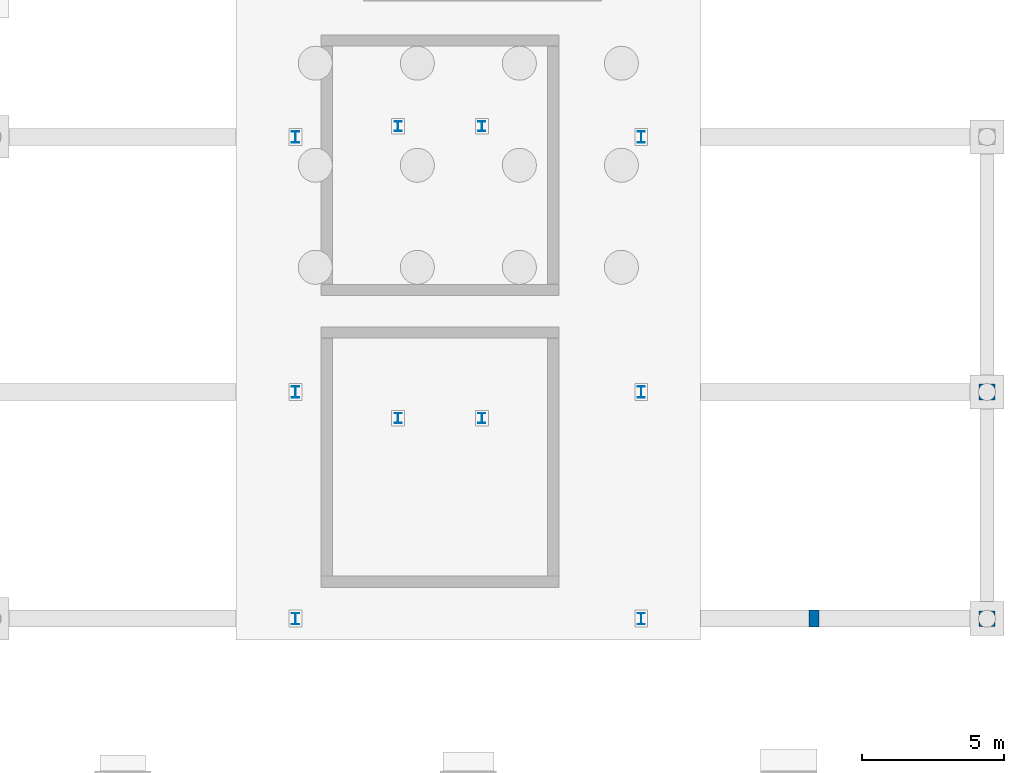
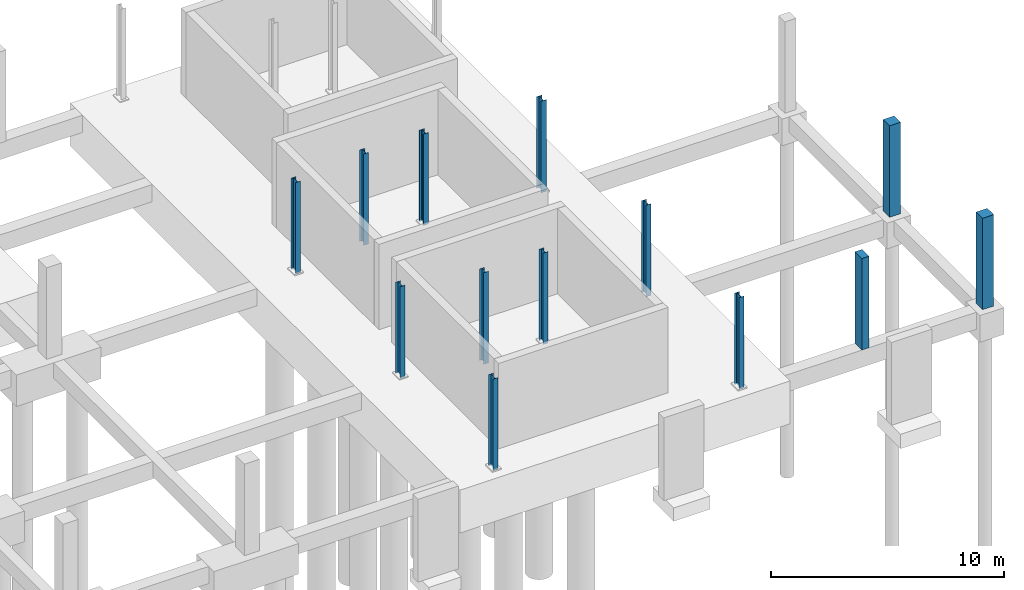
# One storey, part 20 of 32: 13 columns.
"""IFC4 building model written with IfcOpenShell, lengths in metres."""

from ifc_helpers import new_model, si_unit, derived_unit, direction, frame, origin, origin_2d, place, context, subcontext, project, spatial, rectangle, i_section, extrude, material, material_profile, profile_set, type_object, element, save


model = new_model("IFC4")

# Units and contexts
model_context = context("Model", 3, precision=1e-05, world=origin(), true_north=direction((0.0, 1.0)))
body_context = subcontext(model_context, "Body", "Model", "MODEL_VIEW")
ifc_project = project(units=[si_unit("LENGTHUNIT", "METRE"), si_unit("AREAUNIT", "SQUARE_METRE"), si_unit("VOLUMEUNIT", "CUBIC_METRE"), si_unit("PLANEANGLEUNIT", "RADIAN"), si_unit("MASSUNIT", "GRAM", prefix="KILO"), derived_unit("THERMALTRANSMITTANCEUNIT", [(si_unit("POWERUNIT", "WATT"), 1), (si_unit("LENGTHUNIT", "METRE"), -2), (si_unit("THERMODYNAMICTEMPERATUREUNIT", "KELVIN"), -1)])], contexts=[model_context])

# Site, building, storey
site_placement = place(None, origin())
site = spatial("IfcSite", under=ifc_project, at=site_placement, CompositionType="ELEMENT")
building_placement = place(site_placement, origin())
building = spatial("IfcBuilding", under=site, at=building_placement, Name="Nallur Shell Playhouse", CompositionType="ELEMENT")
storey_placement = place(building_placement, frame((0.0, 0.0, -4.800048828125)))
storey = spatial("IfcBuildingStorey", under=building, at=storey_placement, Name="B1", CompositionType="ELEMENT", Elevation=-4.800048828125)

# Columns
ifc_material_1 = material(Name="Concrete M35", Category="concrete")
ifc_material_profile_1 = material_profile(ifc_material_1, rectangle(XDim=0.35009765625, YDim=0.60009765625, at=origin_2d()), Name="RC 350x600")
ifc_profile_set_1 = profile_set([ifc_material_profile_1], Name="Concrete M35")
column_type_1 = type_object("IfcColumnType", Name="CL-PIL-350x600", PredefinedType="PILASTER", material=ifc_profile_set_1)
column_placement = place(storey_placement, frame((165.89990234375, 24.0, 0.0), z_axis=(0.0, 0.0, 1.0), x_axis=(1.0, 0.0, 0.0)))
element("IfcColumn", 1, at=column_placement, inside=storey, type_object=column_type_1, Name="Wall pilaster PIL-06 (B1)", PredefinedType="PILASTER", context=body_context, shape_type="SweptSolid", body=[
    extrude(rectangle(XDim=0.35009765625, YDim=0.60009765625, at=origin_2d()), origin(), (0.0, 0.0, 1.0), 4.800048828125),
])
ifc_material_profile_2 = material_profile(ifc_material_1, rectangle(XDim=0.550048828125, YDim=0.550048828125, at=origin_2d()), Name="RC 550x550")
ifc_profile_set_2 = profile_set([ifc_material_profile_2], Name="Concrete M35")
column_type_2 = type_object("IfcColumnType", Name="CL-RC-550", PredefinedType="COLUMN", material=ifc_profile_set_2)
for number, where, z_axis, x_axis, name in (
    (2, (172.0, 24.0, 0.0), (0.0, 0.0, 1.0), (1.0, 0.0, 0.0), "Column 20-C (B1)"),
    (3, (172.0, 32.0, 0.0), (0.0, 0.0, 1.0), (1.0, 0.0, 0.0), "Column 20-D (B1)"),
):
    element("IfcColumn", number, at=place(storey_placement, frame(where, z_axis=z_axis, x_axis=x_axis)), inside=storey, type_object=column_type_2, Name=name, PredefinedType="COLUMN", context=body_context, shape_type="SweptSolid", body=[
        extrude(rectangle(XDim=0.550048828125, YDim=0.550048828125, at=origin_2d()), origin(), (0.0, 0.0, 1.0), 4.800048828125),
    ])
ifc_material_2 = material(Name="Steel E350", Category="steel")
ifc_material_profile_3 = material_profile(ifc_material_2, i_section(OverallWidth=0.25, OverallDepth=0.35009765625, WebThickness=0.010009765625, FlangeThickness=0.01171875, FilletRadius=0.011962890625, at=origin_2d()), Name="ISHB 350")
ifc_profile_set_3 = profile_set([ifc_material_profile_3], Name="Steel E350")
column_type_3 = type_object("IfcColumnType", Name="CL-ST-ISHB350", PredefinedType="COLUMN", material=ifc_profile_set_3)
for number, where, z_axis, x_axis, name in (
    (4, (151.219970703125, 31.080078125, 0.0), (0.0, 0.0, 1.0), (1.0, 0.0, 0.0), "Column STW-JC-8-W (B1)"),
    (5, (154.179931640625, 31.080078125, 0.0), (0.0, 0.0, 1.0), (1.0, 0.0, 0.0), "Column STW-JC-8-E (B1)"),
    (6, (151.219970703125, 41.3798828125, 0.0), (0.0, 0.0, 1.0), (1.0, 0.0, 0.0), "Column STW-JC-9-W (B1)"),
    (7, (154.179931640625, 41.3798828125, 0.0), (0.0, 0.0, 1.0), (1.0, 0.0, 0.0), "Column STW-JC-9-E (B1)"),
):
    element("IfcColumn", number, at=place(storey_placement, frame(where, z_axis=z_axis, x_axis=x_axis)), inside=storey, type_object=column_type_3, Name=name, PredefinedType="COLUMN", context=body_context, shape_type="SweptSolid", body=[
        extrude(i_section(OverallWidth=0.25, OverallDepth=0.35009765625, WebThickness=0.010009765625, FlangeThickness=0.01171875, FilletRadius=0.011962890625, at=origin_2d()), origin(), (0.0, 0.0, 1.0), 4.800048828125),
    ])
ifc_material_profile_4 = material_profile(ifc_material_2, i_section(OverallWidth=0.25, OverallDepth=0.39990234375, WebThickness=0.010498046875, FlangeThickness=0.0126953125, FilletRadius=0.013916015625, at=origin_2d()), Name="ISHB 400")
ifc_profile_set_4 = profile_set([ifc_material_profile_4], Name="Steel E350")
column_type_4 = type_object("IfcColumnType", Name="CL-ST-ISHB400", PredefinedType="COLUMN", material=ifc_profile_set_4)
for number, where, z_axis, x_axis, name in (
    (8, (147.60009765625, 24.0, 0.0), (0.0, 0.0, 1.0), (1.0, 0.0, 0.0), "Column 18-C (B1)"),
    (9, (147.60009765625, 32.0, 0.0), (0.0, 0.0, 1.0), (1.0, 0.0, 0.0), "Column 18-D (B1)"),
    (10, (147.60009765625, 41.0, 0.0), (0.0, 0.0, 1.0), (1.0, 0.0, 0.0), "Column 18-E (B1)"),
    (11, (159.800048828125, 24.0, 0.0), (0.0, 0.0, 1.0), (1.0, 0.0, 0.0), "Column 19-C (B1)"),
    (12, (159.800048828125, 32.0, 0.0), (0.0, 0.0, 1.0), (1.0, 0.0, 0.0), "Column 19-D (B1)"),
    (13, (159.800048828125, 41.0, 0.0), (0.0, 0.0, 1.0), (1.0, 0.0, 0.0), "Column 19-E (B1)"),
):
    element("IfcColumn", number, at=place(storey_placement, frame(where, z_axis=z_axis, x_axis=x_axis)), inside=storey, type_object=column_type_4, Name=name, PredefinedType="COLUMN", context=body_context, shape_type="SweptSolid", body=[
        extrude(i_section(OverallWidth=0.25, OverallDepth=0.39990234375, WebThickness=0.010498046875, FlangeThickness=0.0126953125, FilletRadius=0.013916015625, at=origin_2d()), origin(), (0.0, 0.0, 1.0), 4.800048828125),
    ])

save(model, "model.ifc")
